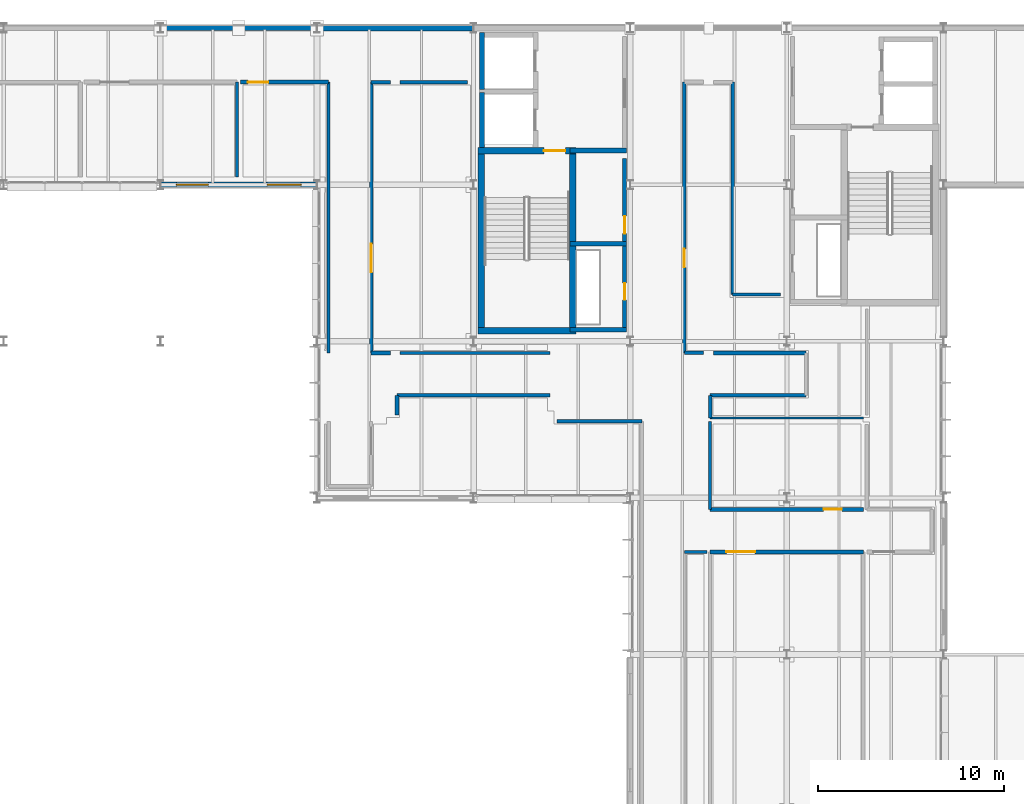
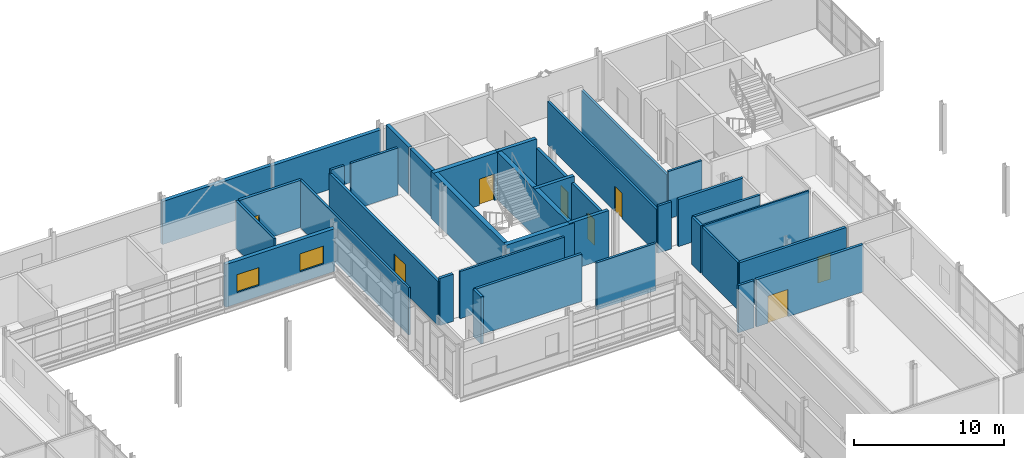
# One storey, part 130 of 151: 37 walls, 8 doors, 2 windows, 10 openings.
"""IFC4 building model written with IfcOpenShell, lengths in metres."""

import ifcopenshell
import ifcopenshell.guid

model = None  # the IFC model being written
_history = None  # IfcOwnerHistory: only IFC2X3 demands one
_inside = {}  # id of a spatial element -> (the spatial element, [elements in it])
_under = {}  # id of a project, library or spatial element -> (it, [spatial elements below it])
_declared = {}  # id of a project -> (the project, [libraries it declares])
_typed = {}  # id of a type object -> (the type object, [elements of that type])
_made_of = {}  # id of a material, layer set ... -> (it, [elements and type objects made of it])


def new_model(schema):
    """Start an empty IFC model of exactly this schema.

    Asked for "IFC4X3", IfcOpenShell would pick the latest addendum, in which some entities
    have other attributes; the version numbers below select the first issue.
    IFC2X3 requires an IfcOwnerHistory on every rooted entity: one is made here for all.
    """
    global model, _history
    if schema == "IFC4X3":
        model = ifcopenshell.file(schema_version=(4, 3, 0, 0))
    else:
        model = ifcopenshell.file(schema=schema)
    _inside.clear()
    _under.clear()
    _declared.clear()
    _typed.clear()
    _made_of.clear()
    _history = None
    if model.schema == "IFC2X3":
        org = make("IfcOrganization", Name="unknown")
        user = make(
            "IfcPersonAndOrganization",
            ThePerson=make("IfcPerson", FamilyName="unknown"),
            TheOrganization=org,
        )
        app = make(
            "IfcApplication",
            ApplicationDeveloper=org,
            Version="unknown",
            ApplicationFullName="unknown",
            ApplicationIdentifier="unknown",
        )
        _history = make(
            "IfcOwnerHistory",
            OwningUser=user,
            OwningApplication=app,
            ChangeAction="ADDED",
            CreationDate=0,
        )
    return model


def make(cls, **values):
    """One entity of the class cls with the attributes given. An attribute that is None is left unset."""
    return model.create_entity(
        cls, **{name: value for name, value in values.items() if value is not None}
    )


def rooted(cls, **values):
    """An entity with a GlobalId (a new one), such as an element, a storey or a relation."""
    return make(cls, GlobalId=ifcopenshell.guid.new(), OwnerHistory=_history, **values)


def si_unit(unit_type, name, prefix=None):
    """IfcSIUnit, for example si_unit("LENGTHUNIT", "METRE", prefix="MILLI")."""
    return make("IfcSIUnit", UnitType=unit_type, Prefix=prefix, Name=name)


def assignment(units):
    """IfcUnitAssignment: the units of a project."""
    return None if units is None else make("IfcUnitAssignment", Units=units)


def point(xyz):
    """IfcCartesianPoint."""
    return None if xyz is None else make("IfcCartesianPoint", Coordinates=xyz)


def direction(xyz):
    """IfcDirection."""
    return None if xyz is None else make("IfcDirection", DirectionRatios=xyz)


def frame(location, z_axis=None, x_axis=None):
    """IfcAxis2Placement3D, a coordinate frame: its origin and axes. An axis left out is left unset."""
    return make(
        "IfcAxis2Placement3D",
        Location=point(location),
        Axis=direction(z_axis),
        RefDirection=direction(x_axis),
    )


def frame_2d(location, x_axis=None):
    """IfcAxis2Placement2D, a coordinate frame in the plane: its origin and x axis."""
    return make(
        "IfcAxis2Placement2D", Location=point(location), RefDirection=direction(x_axis)
    )


def origin():
    """The frame at (0, 0, 0) with its axes left unset."""
    return frame((0.0, 0.0, 0.0))


def place(relative_to, where):
    """IfcLocalPlacement: puts the frame where relative to a parent placement (None: the world)."""
    return make(
        "IfcLocalPlacement", PlacementRelTo=relative_to, RelativePlacement=where
    )


def context(
    kind, dimensions, precision=None, world=None, true_north=None, identifier=None
):
    """IfcGeometricRepresentationContext, for example the 3D "Model" context."""
    return make(
        "IfcGeometricRepresentationContext",
        ContextIdentifier=identifier,
        ContextType=kind,
        CoordinateSpaceDimension=dimensions,
        Precision=precision,
        WorldCoordinateSystem=world,
        TrueNorth=true_north,
    )


def subcontext(parent, identifier, kind, view, scale=None):
    """IfcGeometricRepresentationSubContext, for example "Body" below "Model"."""
    return make(
        "IfcGeometricRepresentationSubContext",
        ContextIdentifier=identifier,
        ContextType=kind,
        ParentContext=parent,
        TargetScale=scale,
        TargetView=view,
    )


def project(units=None, contexts=None):
    """IfcProject with its units and contexts."""
    return rooted(
        "IfcProject",
        Name="project",
        RepresentationContexts=contexts,
        UnitsInContext=assignment(units),
    )


def spatial(cls, under=None, at=None, **own):
    """A site, building, storey or space (cls), placed at a placement, below another one or the project."""
    s = rooted(cls, ObjectPlacement=at, **own)
    if under is not None:
        _under.setdefault(under.id(), (under, []))[1].append(s)
    return s


def profile(cls, at=None, kind="AREA", **sizes):
    """A parametric profile (cls). Its sizes go by their IFC names, for example OverallWidth=200.0."""
    return make(cls, ProfileType=kind, Position=at, **sizes)


def rectangle(**sizes):
    """IfcRectangleProfileDef."""
    return profile("IfcRectangleProfileDef", **sizes)


def extrude(swept, where, along, depth):
    """IfcExtrudedAreaSolid: the profile swept, set in the frame where, extruded along a direction by depth."""
    return make(
        "IfcExtrudedAreaSolid",
        SweptArea=swept,
        Position=where,
        ExtrudedDirection=direction(along),
        Depth=depth,
    )


def shape(context_of_items, identifier, shape_type, items):
    """IfcShapeRepresentation: the items that make up one representation, for example the "Body"."""
    return make(
        "IfcShapeRepresentation",
        ContextOfItems=context_of_items,
        RepresentationIdentifier=identifier,
        RepresentationType=shape_type,
        Items=items,
    )


def material(Name=None, Category=None):
    """IfcMaterial."""
    return make("IfcMaterial", Name=Name, Category=Category)


def layer(
    of_material, thickness, ventilated=None, Name=None, Category=None, Priority=None
):
    """IfcMaterialLayer: one layer of a wall or slab, of a material (None: an air gap)."""
    return make(
        "IfcMaterialLayer",
        Material=of_material,
        LayerThickness=thickness,
        IsVentilated=ventilated,
        Name=Name,
        Category=Category,
        Priority=Priority,
    )


def layer_set(layers, Name=None):
    """IfcMaterialLayerSet."""
    return make("IfcMaterialLayerSet", MaterialLayers=layers, LayerSetName=Name)


def made_of(thing, what):
    """Note that an element or type object is made of a material, layer set ...; save() writes the relation."""
    if what is not None:
        _made_of.setdefault(what.id(), (what, []))[1].append(thing)
    return thing


def type_object(cls, material=None, **own):
    """A type object (cls), such as IfcWallType, which elements share."""
    return made_of(rooted(cls, **own), material)


def element(
    cls,
    number,
    at=None,
    inside=None,
    cuts=None,
    type_object=None,
    material=None,
    context=None,
    identifier="Body",
    shape_type=None,
    held_by="IfcProductDefinitionShape",
    body=None,
    shapes=None,
    **own,
):
    """One element of the class cls, such as IfcWall. Its Tag is "e" and its number.

    at: its placement. inside: the storey or other place that contains it. cuts: it is an
    opening in that element (IfcRelVoidsElement). A single representation is given by context,
    identifier, shape_type and body (its items); several are given by shapes. held_by: the class
    of the entity that holds the representations. save() writes the other relations.
    """
    e = rooted(cls, Tag="e%d" % number, ObjectPlacement=at, **own)
    if body is not None:
        shapes = [shape(context, identifier, shape_type, body)]
    if shapes is not None:
        e.Representation = make(held_by, Representations=shapes)
    if inside is not None:
        _inside.setdefault(inside.id(), (inside, []))[1].append(e)
    if cuts is not None:
        rooted(
            "IfcRelVoidsElement", RelatingBuildingElement=cuts, RelatedOpeningElement=e
        )
    if type_object is not None:
        _typed.setdefault(type_object.id(), (type_object, []))[1].append(e)
    return made_of(e, material)


def fill(opening, filler):
    """IfcRelFillsElement: the door or window that sits in an opening."""
    return rooted(
        "IfcRelFillsElement",
        RelatingOpeningElement=opening,
        RelatedBuildingElement=filler,
    )


def aggregate(whole, parts):
    """IfcRelAggregates: a whole, such as a stair, and the parts it consists of."""
    return rooted("IfcRelAggregates", RelatingObject=whole, RelatedObjects=parts)


def save(model, path):
    """Write the relations noted so far, then the file.

    IfcRelAggregates (storeys below a building ...), IfcRelContainedInSpatialStructure (elements
    in a storey), IfcRelDefinesByType, IfcRelAssociatesMaterial and IfcRelDeclares: one each for
    every whole, place, type object, material and project.
    """
    for whole, parts in _under.values():
        aggregate(whole, parts)
    for where, things in _inside.values():
        rooted(
            "IfcRelContainedInSpatialStructure",
            RelatedElements=things,
            RelatingStructure=where,
        )
    for kind, things in _typed.values():
        rooted("IfcRelDefinesByType", RelatedObjects=things, RelatingType=kind)
    for what, things in _made_of.values():
        rooted("IfcRelAssociatesMaterial", RelatedObjects=things, RelatingMaterial=what)
    for by, libraries in _declared.values():
        rooted("IfcRelDeclares", RelatingContext=by, RelatedDefinitions=libraries)
    model.write(path)


model = new_model("IFC4")

# Units and contexts
model_context = context("Model", 3, precision=1e-05, world=origin(), true_north=direction((0.0, 1.0)))
body_context = subcontext(model_context, "Body", "Model", "MODEL_VIEW")
ifc_project = project(units=[si_unit("LENGTHUNIT", "METRE"), si_unit("AREAUNIT", "SQUARE_METRE"), si_unit("VOLUMEUNIT", "CUBIC_METRE"), si_unit("PLANEANGLEUNIT", "RADIAN"), si_unit("MASSUNIT", "GRAM", prefix="KILO")], contexts=[model_context])

# Site, building, storey
site_placement = place(None, origin())
site = spatial("IfcSite", under=ifc_project, at=site_placement, CompositionType="ELEMENT")
building_placement = place(site_placement, origin())
building = spatial("IfcBuilding", under=site, at=building_placement, Name="Mersafa Astral City Hall", CompositionType="ELEMENT")
storey_placement = place(building_placement, frame((0.0, 0.0, 9.89990234375)))
storey = spatial("IfcBuildingStorey", under=building, at=storey_placement, Name="L02", CompositionType="ELEMENT", Elevation=9.89990234375)

# Wall
ifc_material_1 = material(Name="Precast concrete C40/50 insulated limestone wall", Category="masonry")
ifc_layer_1 = layer(ifc_material_1, 0.280029296875, Name="Precast concrete C40/50 insulated limestone wall")
ifc_layer_set_1 = layer_set([ifc_layer_1], Name="Precast concrete C40/50 insulated limestone wall — ENV-WAL-EXT-280")
wall_type_1 = type_object("IfcWallType", Name="ENV-WAL-EXT-280", PredefinedType="STANDARD", material=ifc_layer_set_1)
wall_1_placement = place(storey_placement, frame((142.7919921875, 126.0, 0.0), z_axis=(0.0, 0.0, 1.0), x_axis=(-1.0, 0.0, 0.0)))
element("IfcWall", 1, at=wall_1_placement, inside=storey, type_object=wall_type_1, Name="L02 Limestone-clad exterior wall 194", PredefinedType="STANDARD", context=body_context, shape_type="SweptSolid", body=[
    extrude(rectangle(XDim=8.384033203125, YDim=0.280029296875, at=frame_2d((4.19189453125, 0.0))), origin(), (0.0, 0.0, 1.0), 3.502197265625),
])

# Wall, openings, windows
ifc_layer_2 = layer(ifc_material_1, 0.294921875, Name="Precast concrete C40/50 insulated limestone wall")
ifc_layer_set_2 = layer_set([ifc_layer_2], Name="Precast concrete C40/50 insulated limestone wall — ENV-WAL-EXT-295")
wall_type_2 = type_object("IfcWallType", Name="ENV-WAL-EXT-295", PredefinedType="STANDARD", material=ifc_layer_set_2)
wall_2_placement = place(storey_placement, frame((134.407958984375, 117.60009765625, 0.0), z_axis=(0.0, 0.0, 1.0), x_axis=(1.0, 0.0, 0.0)))
wall_2 = element("IfcWall", 2, at=wall_2_placement, inside=storey, type_object=wall_type_2, Name="L02 Limestone-clad exterior wall 175", PredefinedType="STANDARD", context=body_context, shape_type="SweptSolid", body=[
    extrude(rectangle(XDim=8.384033203125, YDim=0.294921875, at=frame_2d((4.19189453125, 0.0))), origin(), (0.0, 0.0, 1.0), 3.47216796875),
])
opening_1_placement = place(wall_2_placement, frame((0.85009765625, 0.0, 0.89990234375)))
opening_1 = element("IfcOpeningElement", 3, at=opening_1_placement, cuts=wall_2, Name="Opening W-28", PredefinedType="OPENING", context=body_context, shape_type="SweptSolid", body=[
    extrude(rectangle(XDim=1.719970703125, YDim=1.449951171875, at=frame_2d((0.85986328125, 0.72509765625))), frame((0.0, 0.157470703125, 0.0), z_axis=(0.0, -1.0, 0.0), x_axis=(1.0, 0.0, 0.0)), (0.0, 0.0, 1.0), 0.31494140625),
])
opening_2_placement = place(wall_2_placement, frame((5.714111328125, 0.0, 0.89990234375)))
opening_2 = element("IfcOpeningElement", 4, at=opening_2_placement, cuts=wall_2, Name="Opening W-29", PredefinedType="OPENING", context=body_context, shape_type="SweptSolid", body=[
    extrude(rectangle(XDim=1.820068359375, YDim=1.449951171875, at=frame_2d((0.91015625, 0.72509765625))), frame((0.0, 0.157470703125, 0.0), z_axis=(0.0, -1.0, 0.0), x_axis=(1.0, 0.0, 0.0)), (0.0, 0.0, 1.0), 0.31494140625),
])
ifc_material_2 = material(Name="Solar control low-e double glazing in bronze frame", Category="glass")
window_type_1 = type_object("IfcWindowType", Name="ENV-WIN-W-28", PartitioningType="SINGLE_PANEL", PredefinedType="WINDOW", material=ifc_material_2)
window_1_placement = place(opening_1_placement, origin())
window_1 = element("IfcWindow", 5, at=window_1_placement, inside=storey, type_object=window_type_1, Name="L02 Solar punched window 175-L", OverallHeight=1.449951171875, OverallWidth=1.719970703125, PartitioningType="SINGLE_PANEL", PredefinedType="WINDOW", context=body_context, shape_type="SweptSolid", body=[
    extrude(rectangle(XDim=1.719970703125, YDim=1.449951171875, at=frame_2d((0.85986328125, 0.72509765625))), frame((0.0, 0.030029296875, 0.0), z_axis=(0.0, -1.0, 0.0), x_axis=(1.0, 0.0, 0.0)), (0.0, 0.0, 1.0), 0.06005859375),
])
fill(opening_1, window_1)
window_type_2 = type_object("IfcWindowType", Name="ENV-WIN-W-29", PartitioningType="SINGLE_PANEL", PredefinedType="WINDOW", material=ifc_material_2)
window_2_placement = place(opening_2_placement, origin())
window_2 = element("IfcWindow", 6, at=window_2_placement, inside=storey, type_object=window_type_2, Name="L02 Solar punched window 175-R", OverallHeight=1.449951171875, OverallWidth=1.820068359375, PartitioningType="SINGLE_PANEL", PredefinedType="WINDOW", context=body_context, shape_type="SweptSolid", body=[
    extrude(rectangle(XDim=1.820068359375, YDim=1.449951171875, at=frame_2d((0.91015625, 0.72509765625))), frame((0.0, 0.030029296875, 0.0), z_axis=(0.0, -1.0, 0.0), x_axis=(1.0, 0.0, 0.0)), (0.0, 0.0, 1.0), 0.06005859375),
])
fill(opening_2, window_2)

# Walls
wall_3_placement = place(storey_placement, frame((151.19189453125, 126.0, 0.0), z_axis=(0.0, 0.0, 1.0), x_axis=(-1.0, 0.0, 0.0)))
element("IfcWall", 7, at=wall_3_placement, inside=storey, type_object=wall_type_2, Name="L02 Limestone-clad exterior wall 193", PredefinedType="STANDARD", context=body_context, shape_type="SweptSolid", body=[
    extrude(rectangle(XDim=8.3837890625, YDim=0.294921875, at=frame_2d((4.19189453125, 0.0))), origin(), (0.0, 0.0, 1.0), 3.47216796875),
])
ifc_material_3 = material(Name="Concrete C40/50", Category="concrete")
ifc_layer_3 = layer(ifc_material_3, 0.260009765625, Name="Concrete C40/50")
ifc_layer_set_3 = layer_set([ifc_layer_3], Name="Concrete C40/50 — INT-WAL-CORE-260")
wall_type_3 = type_object("IfcWallType", Name="INT-WAL-CORE-260", PredefinedType="SHEAR", material=ifc_layer_set_3)
wall_4_placement = place(storey_placement, frame((151.64501953125, 119.596923828125, 0.0), z_axis=(0.0, 0.0, 1.0), x_axis=(0.0, 1.0, 0.0)))
element("IfcWall", 8, at=wall_4_placement, inside=storey, type_object=wall_type_3, Name="L02 Lift LF1 back shaft wall", PredefinedType="SHEAR", context=body_context, shape_type="SweptSolid", body=[
    extrude(rectangle(XDim=2.947998046875, YDim=0.260009765625, at=frame_2d((1.47412109375, 0.0))), origin(), (0.0, 0.0, 1.0), 3.840087890625),
])
wall_5_placement = place(storey_placement, frame((151.64501953125, 122.705078125, 0.0), z_axis=(0.0, 0.0, 1.0), x_axis=(0.0, 1.0, 0.0)))
element("IfcWall", 9, at=wall_5_placement, inside=storey, type_object=wall_type_3, Name="L02 Lift LF3 back shaft wall", PredefinedType="SHEAR", context=body_context, shape_type="SweptSolid", body=[
    extrude(rectangle(XDim=3.059814453125, YDim=0.260009765625, at=frame_2d((1.52978515625, 0.0))), origin(), (0.0, 0.0, 1.0), 3.840087890625),
])
for number, where, z_axis, x_axis, name in (
    (10, (156.364990234375, 109.820068359375, 0.0), (0.0, 0.0, 1.0), (1.0, 0.0, 0.0), "L02 Core K1 riser south wall"),
    (11, (156.364990234375, 114.43505859375, 0.0), (0.0, 0.0, 1.0), (1.0, 0.0, 0.0), "L02 Core K1 riser-restroom divider wall"),
    (12, (156.364990234375, 119.43505859375, 0.0), (0.0, 0.0, 1.0), (1.0, 0.0, 0.0), "L02 Core K1 restroom-lobby divider wall"),
):
    element("IfcWall", number, at=place(storey_placement, frame(where, z_axis=z_axis, x_axis=x_axis)), inside=storey, type_object=wall_type_3, Name=name, PredefinedType="SHEAR", context=body_context, shape_type="SweptSolid", body=[
        extrude(rectangle(XDim=3.034912109375, YDim=0.260009765625, at=frame_2d((1.517578125, 0.0))), origin(), (0.0, 0.0, 1.0), 3.840087890625),
    ])
ifc_layer_4 = layer(ifc_material_3, 0.340087890625, Name="Concrete C40/50")
ifc_layer_set_4 = layer_set([ifc_layer_4], Name="Concrete C40/50 — INT-WAL-CORE-340")
wall_type_4 = type_object("IfcWallType", Name="INT-WAL-CORE-340", PredefinedType="SHEAR", material=ifc_layer_set_4)
for number, where, z_axis, x_axis, name in (
    (13, (151.60498046875, 109.60498046875, 0.0), (0.0, 0.0, 1.0), (0.0, 1.0, 0.0), "L02 Core K1 stair west shear wall"),
    (14, (156.514892578125, 109.60498046875, 0.0), (0.0, 0.0, 1.0), (0.0, 1.0, 0.0), "L02 Core K1 stair east shear wall"),
):
    element("IfcWall", number, at=place(storey_placement, frame(where, z_axis=z_axis, x_axis=x_axis)), inside=storey, type_object=wall_type_4, Name=name, PredefinedType="SHEAR", context=body_context, shape_type="SweptSolid", body=[
        extrude(rectangle(XDim=9.989990234375, YDim=0.340087890625, at=frame_2d((4.9951171875, 0.0))), origin(), (0.0, 0.0, 1.0), 3.840087890625),
    ])
wall_6_placement = place(storey_placement, frame((151.43505859375, 109.77490234375, 0.0), z_axis=(0.0, 0.0, 1.0), x_axis=(1.0, 0.0, 0.0)))
element("IfcWall", 15, at=wall_6_placement, inside=storey, type_object=wall_type_4, Name="L02 Core K1 stair south shear wall", PredefinedType="SHEAR", context=body_context, shape_type="SweptSolid", body=[
    extrude(rectangle(XDim=5.25, YDim=0.340087890625, at=frame_2d((2.625, 0.0))), origin(), (0.0, 0.0, 1.0), 3.840087890625),
])

# Wall, opening, door
wall_7_placement = place(storey_placement, frame((151.43505859375, 119.425048828125, 0.0), z_axis=(0.0, 0.0, 1.0), x_axis=(1.0, 0.0, 0.0)))
wall_7 = element("IfcWall", 16, at=wall_7_placement, inside=storey, type_object=wall_type_4, Name="L02 Core K1 stair-lobby fire wall", PredefinedType="SHEAR", context=body_context, shape_type="SweptSolid", body=[
    extrude(rectangle(XDim=5.25, YDim=0.340087890625, at=frame_2d((2.625, 0.0))), origin(), (0.0, 0.0, 1.0), 3.840087890625),
])
opening_3_placement = place(wall_7_placement, frame((3.534912109375, 0.0, 0.0)))
opening_3 = element("IfcOpeningElement", 17, at=opening_3_placement, cuts=wall_7, Name="Opening CD-1", PredefinedType="OPENING", context=body_context, shape_type="SweptSolid", body=[
    extrude(rectangle(XDim=1.14990234375, YDim=2.14990234375, at=frame_2d((0.574951171875, 1.074951171875))), frame((0.0, 0.179931640625, 0.0), z_axis=(0.0, -1.0, 0.0), x_axis=(1.0, 0.0, 0.0)), (0.0, 0.0, 1.0), 0.360107421875),
])
ifc_material_4 = material(Name="Fire-rated steel stair door", Category="steel")
door_type_1 = type_object("IfcDoorType", Name="INT-DR-STAIR-FD90-1150", OperationType="NOTDEFINED", PredefinedType="DOOR", material=ifc_material_4)
door_1_placement = place(opening_3_placement, origin())
door_1 = element("IfcDoor", 18, at=door_1_placement, inside=storey, type_object=door_type_1, Name="L02 Protected Stair ST1 Door", OperationType="SINGLE_SWING_LEFT", OverallHeight=2.14990234375, OverallWidth=1.14990234375, PredefinedType="DOOR", context=body_context, shape_type="SweptSolid", body=[
    extrude(rectangle(XDim=1.14990234375, YDim=2.14990234375, at=frame_2d((0.574951171875, 1.074951171875))), frame((0.0, 0.02490234375, 0.0), z_axis=(0.0, -1.0, 0.0), x_axis=(1.0, 0.0, 0.0)), (0.0, 0.0, 1.0), 0.050048828125),
])
fill(opening_3, door_1)

# Walls
ifc_material_5 = material(Name="Acoustic steel-stud gypsum partition", Category="steel")
ifc_layer_5 = layer(ifc_material_5, 0.1201171875, Name="Acoustic steel-stud gypsum partition")
ifc_layer_set_5 = layer_set([ifc_layer_5], Name="Acoustic steel-stud gypsum partition — INT-WAL-PART-EI30-120")
wall_type_5 = type_object("IfcWallType", Name="INT-WAL-PART-EI30-120", PredefinedType="STANDARD", material=ifc_layer_set_5)
wall_8_placement = place(storey_placement, frame((172.110107421875, 105.090087890625, -0.00390625), z_axis=(0.0, 0.0, 1.0), x_axis=(-1.0, 0.0, 0.0)))
element("IfcWall", 19, at=wall_8_placement, inside=storey, type_object=wall_type_5, Name="L02 Interior partition wall 476", PredefinedType="STANDARD", context=body_context, shape_type="SweptSolid", body=[
    extrude(rectangle(XDim=8.22021484375, YDim=0.1201171875, at=frame_2d((4.110107421875, 0.0))), origin(), (0.0, 0.0, 1.0), 3.843994140625),
])
ifc_material_6 = material(Name="Fire-rated gypsum stud partition", Category="gypsum")
ifc_layer_6 = layer(ifc_material_6, 0.1650390625, Name="Fire-rated gypsum stud partition")
ifc_layer_set_6 = layer_set([ifc_layer_6], Name="Fire-rated gypsum stud partition — INT-WAL-PART-EI60-165")
wall_type_6 = type_object("IfcWallType", Name="INT-WAL-PART-EI60-165", PredefinedType="STANDARD", material=ifc_layer_set_6)
wall_9_placement = place(storey_placement, frame((155.31005859375, 108.580078125, -0.00390625), z_axis=(0.0, 0.0, 1.0), x_axis=(-1.0, 0.0, 0.0)))
element("IfcWall", 20, at=wall_9_placement, inside=storey, type_object=wall_type_6, Name="L02 Interior partition wall 459", PredefinedType="STANDARD", context=body_context, shape_type="SweptSolid", body=[
    extrude(rectangle(XDim=8.050048828125, YDim=0.1650390625, at=frame_2d((4.02490234375, 0.0))), origin(), (0.0, 0.0, 1.0), 3.843994140625),
])

# Wall, opening, door
wall_10_placement = place(storey_placement, frame((162.5, 108.580078125, -0.00390625), z_axis=(0.0, 0.0, 1.0), x_axis=(0.0, 1.0, 0.0)))
wall_10 = element("IfcWall", 21, at=wall_10_placement, inside=storey, type_object=wall_type_6, Name="L02 Interior partition wall 471", PredefinedType="STANDARD", context=body_context, shape_type="SweptSolid", body=[
    extrude(rectangle(XDim=14.52001953125, YDim=0.1650390625, at=frame_2d((7.260009765625, 0.0))), origin(), (0.0, 0.0, 1.0), 3.535888671875),
])
opening_4_placement = place(wall_10_placement, frame((4.592041015625, 0.0, 0.0)))
opening_4 = element("IfcOpeningElement", 22, at=opening_4_placement, cuts=wall_10, Name="Opening D-02", PredefinedType="OPENING", context=body_context, shape_type="SweptSolid", body=[
    extrude(rectangle(XDim=0.97998046875, YDim=2.06005859375, at=frame_2d((0.489990234375, 1.030029296875))), frame((0.0, 0.092529296875, 0.0), z_axis=(0.0, -1.0, 0.0), x_axis=(1.0, 0.0, 0.0)), (0.0, 0.0, 1.0), 0.18505859375),
])
ifc_material_7 = material(Name="Cedar veneered acoustic fire-rated timber door", Category="wood")
door_type_2 = type_object("IfcDoorType", Name="INT-DR-RM-D-02", OperationType="NOTDEFINED", PredefinedType="DOOR", material=ifc_material_7)
door_2_placement = place(opening_4_placement, origin())
door_2 = element("IfcDoor", 23, at=door_2_placement, inside=storey, type_object=door_type_2, Name="L02 Urban Planning Studio L02-16 Entrance Door", OperationType="SINGLE_SWING_RIGHT", OverallHeight=2.06005859375, OverallWidth=0.97998046875, PredefinedType="DOOR", context=body_context, shape_type="SweptSolid", body=[
    extrude(rectangle(XDim=0.97998046875, YDim=2.06005859375, at=frame_2d((0.489990234375, 1.030029296875))), frame((0.0, 0.02490234375, 0.0), z_axis=(0.0, -1.0, 0.0), x_axis=(1.0, 0.0, 0.0)), (0.0, 0.0, 1.0), 0.050048828125),
])
fill(opening_4, door_2)

# Walls
wall_11_placement = place(storey_placement, frame((165.10009765625, 111.699951171875, -0.00390625), z_axis=(0.0, 0.0, 1.0), x_axis=(1.0, 0.0, 0.0)))
element("IfcWall", 24, at=wall_11_placement, inside=storey, type_object=wall_type_6, Name="L02 Interior partition wall 475", PredefinedType="STANDARD", context=body_context, shape_type="SweptSolid", body=[
    extrude(rectangle(XDim=2.559814453125, YDim=0.1650390625, at=frame_2d((1.27978515625, 0.0))), origin(), (0.0, 0.0, 1.0), 3.843994140625),
])
wall_12_placement = place(storey_placement, frame((138.510009765625, 123.10009765625, -0.00390625), z_axis=(0.0, 0.0, 1.0), x_axis=(0.0, -1.0, 0.0)))
element("IfcWall", 25, at=wall_12_placement, inside=storey, type_object=wall_type_6, Name="L02 Interior partition wall 491", PredefinedType="STANDARD", context=body_context, shape_type="SweptSolid", body=[
    extrude(rectangle(XDim=5.080078125, YDim=0.1650390625, at=frame_2d((2.5400390625, 0.0))), origin(), (0.0, 0.0, 1.0), 3.843994140625),
])
wall_13_placement = place(storey_placement, frame((163.889892578125, 100.179931640625, -0.00390625), z_axis=(0.0, 0.0, 1.0), x_axis=(0.0, 1.0, 0.0)))
element("IfcWall", 26, at=wall_13_placement, inside=storey, type_object=wall_type_6, Name="L02 Interior partition wall 499", PredefinedType="STANDARD", context=body_context, shape_type="SweptSolid", body=[
    extrude(rectangle(XDim=4.72998046875, YDim=0.1650390625, at=frame_2d((2.364990234375, 0.0))), origin(), (0.0, 0.0, 1.0), 3.843994140625),
])
wall_14_placement = place(storey_placement, frame((143.419921875, 123.10009765625, -0.00390625), z_axis=(0.0, 0.0, 1.0), x_axis=(0.0, -1.0, 0.0)))
element("IfcWall", 27, at=wall_14_placement, inside=storey, type_object=wall_type_6, Name="L02 Interior partition wall 503", PredefinedType="STANDARD", context=body_context, shape_type="SweptSolid", body=[
    extrude(rectangle(XDim=14.52001953125, YDim=0.1650390625, at=frame_2d((7.260009765625, 0.0))), origin(), (0.0, 0.0, 1.0), 3.843994140625),
])
ifc_material_8 = material(Name="Acoustic twin-stud gypsum partition", Category="gypsum")
ifc_layer_7 = layer(ifc_material_8, 0.179931640625, Name="Acoustic twin-stud gypsum partition")
ifc_layer_set_7 = layer_set([ifc_layer_7], Name="Acoustic twin-stud gypsum partition — INT-WAL-PART-EI60-180")
wall_type_7 = type_object("IfcWallType", Name="INT-WAL-PART-EI60-180", PredefinedType="STANDARD", material=ifc_layer_set_7)
wall_15_placement = place(storey_placement, frame((162.5, 97.89990234375, -0.00390625), z_axis=(0.0, 0.0, 1.0), x_axis=(1.0, 0.0, 0.0)))
element("IfcWall", 28, at=wall_15_placement, inside=storey, type_object=wall_type_7, Name="L02 Interior partition wall 434", PredefinedType="STANDARD", context=body_context, shape_type="SweptSolid", body=[
    extrude(rectangle(XDim=1.2099609375, YDim=0.179931640625, at=frame_2d((0.60498046875, 0.0))), origin(), (0.0, 0.0, 1.0), 3.843994140625),
])
wall_16_placement = place(storey_placement, frame((147.260009765625, 123.10009765625, -0.00390625), z_axis=(0.0, 0.0, 1.0), x_axis=(1.0, 0.0, 0.0)))
element("IfcWall", 29, at=wall_16_placement, inside=storey, type_object=wall_type_7, Name="L02 Interior partition wall 458", PredefinedType="STANDARD", context=body_context, shape_type="SweptSolid", body=[
    extrude(rectangle(XDim=3.60009765625, YDim=0.179931640625, at=frame_2d((1.800048828125, 0.0))), origin(), (0.0, 0.0, 1.0), 3.843994140625),
])
for number, where, z_axis, x_axis, name in (
    (30, (145.699951171875, 123.10009765625, -0.00390625), (0.0, 0.0, 1.0), (1.0, 0.0, 0.0), "L02 Interior partition wall 462"),
    (31, (163.5400390625, 108.580078125, -0.00390625), (0.0, 0.0, 1.0), (-1.0, 0.0, 0.0), "L02 Interior partition wall 470"),
):
    element("IfcWall", number, at=place(storey_placement, frame(where, z_axis=z_axis, x_axis=x_axis)), inside=storey, type_object=wall_type_7, Name=name, PredefinedType="STANDARD", context=body_context, shape_type="SweptSolid", body=[
        extrude(rectangle(XDim=1.0400390625, YDim=0.179931640625, at=frame_2d((0.52001953125, 0.0))), origin(), (0.0, 0.0, 1.0), 3.843994140625),
    ])
wall_17_placement = place(storey_placement, frame((165.10009765625, 123.10009765625, -0.00390625), z_axis=(0.0, 0.0, 1.0), x_axis=(0.0, -1.0, 0.0)))
element("IfcWall", 32, at=wall_17_placement, inside=storey, type_object=wall_type_7, Name="L02 Interior partition wall 474", PredefinedType="STANDARD", context=body_context, shape_type="SweptSolid", body=[
    extrude(rectangle(XDim=11.400146484375, YDim=0.179931640625, at=frame_2d((5.7001953125, 0.0))), origin(), (0.0, 0.0, 1.0), 3.535888671875),
])
wall_18_placement = place(storey_placement, frame((163.889892578125, 106.300048828125, -0.00390625), z_axis=(0.0, 0.0, 1.0), x_axis=(1.0, 0.0, 0.0)))
element("IfcWall", 33, at=wall_18_placement, inside=storey, type_object=wall_type_7, Name="L02 Interior partition wall 478", PredefinedType="STANDARD", context=body_context, shape_type="SweptSolid", body=[
    extrude(rectangle(XDim=5.14013671875, YDim=0.179931640625, at=frame_2d((2.570068359375, 0.0))), origin(), (0.0, 0.0, 1.0), 3.843994140625),
])
wall_19_placement = place(storey_placement, frame((155.659912109375, 104.909912109375, -0.00390625), z_axis=(0.0, 0.0, 1.0), x_axis=(1.0, 0.0, 0.0)))
element("IfcWall", 34, at=wall_19_placement, inside=storey, type_object=wall_type_7, Name="L02 Interior partition wall 522", PredefinedType="STANDARD", context=body_context, shape_type="SweptSolid", body=[
    extrude(rectangle(XDim=4.56005859375, YDim=0.179931640625, at=frame_2d((2.280029296875, 0.0))), origin(), (0.0, 0.0, 1.0), 3.843994140625),
])

# Wall, opening, door
ifc_layer_8 = layer(ifc_material_8, 0.195068359375, Name="Acoustic twin-stud gypsum partition")
ifc_layer_set_8 = layer_set([ifc_layer_8], Name="Acoustic twin-stud gypsum partition — INT-WAL-PART-EI60-195")
wall_type_8 = type_object("IfcWallType", Name="INT-WAL-PART-EI60-195", PredefinedType="STANDARD", material=ifc_layer_set_8)
wall_20_placement = place(storey_placement, frame((145.699951171875, 108.580078125, -0.00390625), z_axis=(0.0, 0.0, 1.0), x_axis=(0.0, 1.0, 0.0)))
wall_20 = element("IfcWall", 35, at=wall_20_placement, inside=storey, type_object=wall_type_8, Name="L02 Interior partition wall 461", PredefinedType="STANDARD", context=body_context, shape_type="SweptSolid", body=[
    extrude(rectangle(XDim=14.52001953125, YDim=0.195068359375, at=frame_2d((7.260009765625, 0.0))), origin(), (0.0, 0.0, 1.0), 3.56591796875),
])
opening_5_placement = place(wall_20_placement, frame((4.31201171875, 0.0, 0.0)))
opening_5 = element("IfcOpeningElement", 36, at=opening_5_placement, cuts=wall_20, Name="Opening D-35", PredefinedType="OPENING", context=body_context, shape_type="SweptSolid", body=[
    extrude(rectangle(XDim=1.5400390625, YDim=2.300048828125, at=frame_2d((0.77001953125, 1.14990234375))), frame((0.0, 0.107421875, 0.0), z_axis=(0.0, -1.0, 0.0), x_axis=(1.0, 0.0, 0.0)), (0.0, 0.0, 1.0), 0.215087890625),
])
door_type_3 = type_object("IfcDoorType", Name="INT-DR-RM-D-35", OperationType="NOTDEFINED", PredefinedType="DOOR", material=ifc_material_7)
door_3_placement = place(opening_5_placement, origin())
door_3 = element("IfcDoor", 37, at=door_3_placement, inside=storey, type_object=door_type_3, Name="L02 Hearing Room L02-13 Entrance Door", OperationType="SINGLE_SWING_LEFT", OverallHeight=2.300048828125, OverallWidth=1.5400390625, PredefinedType="DOOR", context=body_context, shape_type="SweptSolid", body=[
    extrude(rectangle(XDim=1.5400390625, YDim=2.300048828125, at=frame_2d((0.77001953125, 1.14990234375))), frame((0.0, 0.02490234375, 0.0), z_axis=(0.0, -1.0, 0.0), x_axis=(1.0, 0.0, 0.0)), (0.0, 0.0, 1.0), 0.050048828125),
])
fill(opening_5, door_3)

# Walls
wall_21_placement = place(storey_placement, frame((163.889892578125, 105.090087890625, -0.00390625), z_axis=(0.0, 0.0, 1.0), x_axis=(0.0, 1.0, 0.0)))
element("IfcWall", 38, at=wall_21_placement, inside=storey, type_object=wall_type_8, Name="L02 Interior partition wall 477", PredefinedType="STANDARD", context=body_context, shape_type="SweptSolid", body=[
    extrude(rectangle(XDim=1.2099609375, YDim=0.195068359375, at=frame_2d((0.60498046875, 0.0))), origin(), (0.0, 0.0, 1.0), 3.843994140625),
])
wall_22_placement = place(storey_placement, frame((147.090087890625, 106.300048828125, -0.00390625), z_axis=(0.0, 0.0, 1.0), x_axis=(1.0, 0.0, 0.0)))
element("IfcWall", 39, at=wall_22_placement, inside=storey, type_object=wall_type_8, Name="L02 Interior partition wall 521", PredefinedType="STANDARD", context=body_context, shape_type="SweptSolid", body=[
    extrude(rectangle(XDim=8.219970703125, YDim=0.195068359375, at=frame_2d((4.10986328125, 0.0))), origin(), (0.0, 0.0, 1.0), 3.843994140625),
])

# Wall, opening, door
ifc_material_9 = material(Name="Autoclaved aerated concrete blockwork plastered", Category="masonry")
ifc_layer_9 = layer(ifc_material_9, 0.2099609375, Name="Autoclaved aerated concrete blockwork plastered")
ifc_layer_set_9 = layer_set([ifc_layer_9], Name="Autoclaved aerated concrete blockwork plastered — INT-WAL-PART-EI60-210")
wall_type_9 = type_object("IfcWallType", Name="INT-WAL-PART-EI60-210", PredefinedType="STANDARD", material=ifc_layer_set_9)
wall_23_placement = place(storey_placement, frame((159.300048828125, 109.820068359375, 0.0), z_axis=(0.0, 0.0, 1.0), x_axis=(0.0, 1.0, 0.0)))
wall_23 = element("IfcWall", 40, at=wall_23_placement, inside=storey, type_object=wall_type_9, Name="L02 Core K1 riser corridor partition", PredefinedType="STANDARD", context=body_context, shape_type="SweptSolid", body=[
    extrude(rectangle(XDim=4.58984375, YDim=0.2099609375, at=frame_2d((2.294921875, 0.0))), origin(), (0.0, 0.0, 1.0), 3.342041015625),
])
opening_6_placement = place(wall_23_placement, frame((1.60009765625, 0.0, 0.0)))
opening_6 = element("IfcOpeningElement", 41, at=opening_6_placement, cuts=wall_23, Name="Opening CD-5", PredefinedType="OPENING", context=body_context, shape_type="SweptSolid", body=[
    extrude(rectangle(XDim=0.89990234375, YDim=2.10009765625, at=frame_2d((0.449951171875, 1.050048828125))), frame((0.0, 0.114990234375, 0.0), z_axis=(0.0, -1.0, 0.0), x_axis=(1.0, 0.0, 0.0)), (0.0, 0.0, 1.0), 0.22998046875),
])
ifc_material_10 = material(Name="Fire-rated steel riser access door", Category="steel")
door_type_4 = type_object("IfcDoorType", Name="INT-DR-RISER-FD60-900", OperationType="NOTDEFINED", PredefinedType="DOOR", material=ifc_material_10)
door_4_placement = place(opening_6_placement, origin())
door_4 = element("IfcDoor", 42, at=door_4_placement, inside=storey, type_object=door_type_4, Name="L02 K1 MEP Riser Access Door", OperationType="SINGLE_SWING_RIGHT", OverallHeight=2.10009765625, OverallWidth=0.89990234375, PredefinedType="DOOR", context=body_context, shape_type="SweptSolid", body=[
    extrude(rectangle(XDim=0.89990234375, YDim=2.10009765625, at=frame_2d((0.449951171875, 1.050048828125))), frame((0.0, 0.02490234375, 0.0), z_axis=(0.0, -1.0, 0.0), x_axis=(1.0, 0.0, 0.0)), (0.0, 0.0, 1.0), 0.050048828125),
])
fill(opening_6, door_4)

wall_24_placement = place(storey_placement, frame((159.300048828125, 114.52001953125, 0.0), z_axis=(0.0, 0.0, 1.0), x_axis=(0.0, 1.0, 0.0)))
wall_24 = element("IfcWall", 43, at=wall_24_placement, inside=storey, type_object=wall_type_9, Name="L02 Core K1 accessible WC corridor partition", PredefinedType="STANDARD", context=body_context, shape_type="SweptSolid", body=[
    extrude(rectangle(XDim=4.47998046875, YDim=0.2099609375, at=frame_2d((2.239990234375, 0.0))), origin(), (0.0, 0.0, 1.0), 3.342041015625),
])
opening_7_placement = place(wall_24_placement, frame((0.449951171875, 0.0, 0.0)))
opening_7 = element("IfcOpeningElement", 44, at=opening_7_placement, cuts=wall_24, Name="Opening CD-4", PredefinedType="OPENING", context=body_context, shape_type="SweptSolid", body=[
    extrude(rectangle(XDim=0.949951171875, YDim=2.14990234375, at=frame_2d((0.47509765625, 1.074951171875))), frame((0.0, 0.114990234375, 0.0), z_axis=(0.0, -1.0, 0.0), x_axis=(1.0, 0.0, 0.0)), (0.0, 0.0, 1.0), 0.22998046875),
])
ifc_material_11 = material(Name="Accessible timber acoustic WC door", Category="wood")
door_type_5 = type_object("IfcDoorType", Name="INT-DR-WC-FD30-950", OperationType="NOTDEFINED", PredefinedType="DOOR", material=ifc_material_11)
door_5_placement = place(opening_7_placement, origin())
door_5 = element("IfcDoor", 45, at=door_5_placement, inside=storey, type_object=door_type_5, Name="L02 K1 Accessible Restroom Door", OperationType="SINGLE_SWING_LEFT", OverallHeight=2.14990234375, OverallWidth=0.949951171875, PredefinedType="DOOR", context=body_context, shape_type="SweptSolid", body=[
    extrude(rectangle(XDim=0.949951171875, YDim=2.14990234375, at=frame_2d((0.47509765625, 1.074951171875))), frame((0.0, 0.02490234375, 0.0), z_axis=(0.0, -1.0, 0.0), x_axis=(1.0, 0.0, 0.0)), (0.0, 0.0, 1.0), 0.050048828125),
])
fill(opening_7, door_5)

wall_25_placement = place(storey_placement, frame((163.889892578125, 97.89990234375, -0.00390625), z_axis=(0.0, 0.0, 1.0), x_axis=(1.0, 0.0, 0.0)))
wall_25 = element("IfcWall", 46, at=wall_25_placement, inside=storey, type_object=wall_type_9, Name="L02 Interior partition wall 420", PredefinedType="STANDARD", context=body_context, shape_type="SweptSolid", body=[
    extrude(rectangle(XDim=8.22021484375, YDim=0.2099609375, at=frame_2d((4.110107421875, 0.0))), origin(), (0.0, 0.0, 1.0), 3.843994140625),
])
opening_8_placement = place(wall_25_placement, frame((0.8740234375, 0.0, 0.0)))
opening_8 = element("IfcOpeningElement", 47, at=opening_8_placement, cuts=wall_25, Name="Opening D-26", PredefinedType="OPENING", context=body_context, shape_type="SweptSolid", body=[
    extrude(rectangle(XDim=1.5400390625, YDim=2.219970703125, at=frame_2d((0.77001953125, 1.10986328125))), frame((0.0, 0.114990234375, 0.0), z_axis=(0.0, -1.0, 0.0), x_axis=(1.0, 0.0, 0.0)), (0.0, 0.0, 1.0), 0.22998046875),
])
door_type_6 = type_object("IfcDoorType", Name="INT-DR-RM-D-26", OperationType="NOTDEFINED", PredefinedType="DOOR", material=ifc_material_7)
door_6_placement = place(opening_8_placement, origin())
door_6 = element("IfcDoor", 48, at=door_6_placement, inside=storey, type_object=door_type_6, Name="L02 Hearing Room L02-04 Entrance Door", OperationType="SINGLE_SWING_RIGHT", OverallHeight=2.219970703125, OverallWidth=1.5400390625, PredefinedType="DOOR", context=body_context, shape_type="SweptSolid", body=[
    extrude(rectangle(XDim=1.5400390625, YDim=2.219970703125, at=frame_2d((0.77001953125, 1.10986328125))), frame((0.0, 0.02490234375, 0.0), z_axis=(0.0, -1.0, 0.0), x_axis=(1.0, 0.0, 0.0)), (0.0, 0.0, 1.0), 0.050048828125),
])
fill(opening_8, door_6)

# Walls
wall_26_placement = place(storey_placement, frame((146.739990234375, 108.580078125, -0.00390625), z_axis=(0.0, 0.0, 1.0), x_axis=(-1.0, 0.0, 0.0)))
element("IfcWall", 49, at=wall_26_placement, inside=storey, type_object=wall_type_9, Name="L02 Interior partition wall 460", PredefinedType="STANDARD", context=body_context, shape_type="SweptSolid", body=[
    extrude(rectangle(XDim=1.0400390625, YDim=0.2099609375, at=frame_2d((0.52001953125, 0.0))), origin(), (0.0, 0.0, 1.0), 3.843994140625),
])
wall_27_placement = place(storey_placement, frame((169.030029296875, 108.580078125, -0.00390625), z_axis=(0.0, 0.0, 1.0), x_axis=(-1.0, 0.0, 0.0)))
element("IfcWall", 50, at=wall_27_placement, inside=storey, type_object=wall_type_9, Name="L02 Interior partition wall 480", PredefinedType="STANDARD", context=body_context, shape_type="SweptSolid", body=[
    extrude(rectangle(XDim=4.969970703125, YDim=0.2099609375, at=frame_2d((2.48486328125, 0.0))), origin(), (0.0, 0.0, 1.0), 3.843994140625),
])

# Wall, opening, door
wall_28_placement = place(storey_placement, frame((172.110107421875, 100.179931640625, -0.00390625), z_axis=(0.0, 0.0, 1.0), x_axis=(-1.0, 0.0, 0.0)))
wall_28 = element("IfcWall", 51, at=wall_28_placement, inside=storey, type_object=wall_type_9, Name="L02 Interior partition wall 500", PredefinedType="STANDARD", context=body_context, shape_type="SweptSolid", body=[
    extrude(rectangle(XDim=8.22021484375, YDim=0.2099609375, at=frame_2d((4.110107421875, 0.0))), origin(), (0.0, 0.0, 1.0), 3.843994140625),
])
opening_9_placement = place(wall_28_placement, frame((1.154052734375, 0.0, 0.0)))
opening_9 = element("IfcOpeningElement", 52, at=opening_9_placement, cuts=wall_28, Name="Opening D-11", PredefinedType="OPENING", context=body_context, shape_type="SweptSolid", body=[
    extrude(rectangle(XDim=0.97998046875, YDim=2.139892578125, at=frame_2d((0.489990234375, 1.06982421875))), frame((0.0, 0.114990234375, 0.0), z_axis=(0.0, -1.0, 0.0), x_axis=(1.0, 0.0, 0.0)), (0.0, 0.0, 1.0), 0.22998046875),
])
door_type_7 = type_object("IfcDoorType", Name="INT-DR-RM-D-11", OperationType="NOTDEFINED", PredefinedType="DOOR", material=ifc_material_7)
door_7_placement = place(opening_9_placement, origin())
door_7 = element("IfcDoor", 53, at=door_7_placement, inside=storey, type_object=door_type_7, Name="L02 Urban Planning Studio L02-25 Entrance Door", OperationType="SINGLE_SWING_LEFT", OverallHeight=2.139892578125, OverallWidth=0.97998046875, PredefinedType="DOOR", context=body_context, shape_type="SweptSolid", body=[
    extrude(rectangle(XDim=0.97998046875, YDim=2.139892578125, at=frame_2d((0.489990234375, 1.06982421875))), frame((0.0, 0.02490234375, 0.0), z_axis=(0.0, -1.0, 0.0), x_axis=(1.0, 0.0, 0.0)), (0.0, 0.0, 1.0), 0.050048828125),
])
fill(opening_9, door_7)

wall_29_placement = place(storey_placement, frame((138.68994140625, 123.10009765625, -0.00390625), z_axis=(0.0, 0.0, 1.0), x_axis=(1.0, 0.0, 0.0)))
wall_29 = element("IfcWall", 54, at=wall_29_placement, inside=storey, type_object=wall_type_9, Name="L02 Interior partition wall 504", PredefinedType="STANDARD", context=body_context, shape_type="SweptSolid", body=[
    extrude(rectangle(XDim=4.72998046875, YDim=0.2099609375, at=frame_2d((2.364990234375, 0.0))), origin(), (0.0, 0.0, 1.0), 3.843994140625),
])
opening_10_placement = place(wall_29_placement, frame((0.39599609375, 0.0, 0.0)))
opening_10 = element("IfcOpeningElement", 55, at=opening_10_placement, cuts=wall_29, Name="Opening D-13", PredefinedType="OPENING", context=body_context, shape_type="SweptSolid", body=[
    extrude(rectangle(XDim=1.10009765625, YDim=2.139892578125, at=frame_2d((0.550048828125, 1.06982421875))), frame((0.0, 0.114990234375, 0.0), z_axis=(0.0, -1.0, 0.0), x_axis=(1.0, 0.0, 0.0)), (0.0, 0.0, 1.0), 0.22998046875),
])
door_type_8 = type_object("IfcDoorType", Name="INT-DR-RM-D-13", OperationType="NOTDEFINED", PredefinedType="DOOR", material=ifc_material_7)
door_8_placement = place(opening_10_placement, origin())
door_8 = element("IfcDoor", 56, at=door_8_placement, inside=storey, type_object=door_type_8, Name="L02 Civic Model Exhibition Room L02-27 Entrance Door", OperationType="SINGLE_SWING_LEFT", OverallHeight=2.139892578125, OverallWidth=1.10009765625, PredefinedType="DOOR", context=body_context, shape_type="SweptSolid", body=[
    extrude(rectangle(XDim=1.10009765625, YDim=2.139892578125, at=frame_2d((0.550048828125, 1.06982421875))), frame((0.0, 0.02490234375, 0.0), z_axis=(0.0, -1.0, 0.0), x_axis=(1.0, 0.0, 0.0)), (0.0, 0.0, 1.0), 0.050048828125),
])
fill(opening_10, door_8)

# Wall
wall_30_placement = place(storey_placement, frame((147.090087890625, 105.260009765625, -0.00390625), z_axis=(0.0, 0.0, 1.0), x_axis=(0.0, 1.0, 0.0)))
element("IfcWall", 57, at=wall_30_placement, inside=storey, type_object=wall_type_9, Name="L02 Interior partition wall 520", PredefinedType="STANDARD", context=body_context, shape_type="SweptSolid", body=[
    extrude(rectangle(XDim=1.0400390625, YDim=0.2099609375, at=frame_2d((0.52001953125, 0.0))), origin(), (0.0, 0.0, 1.0), 3.843994140625),
])

save(model, "model.ifc")
